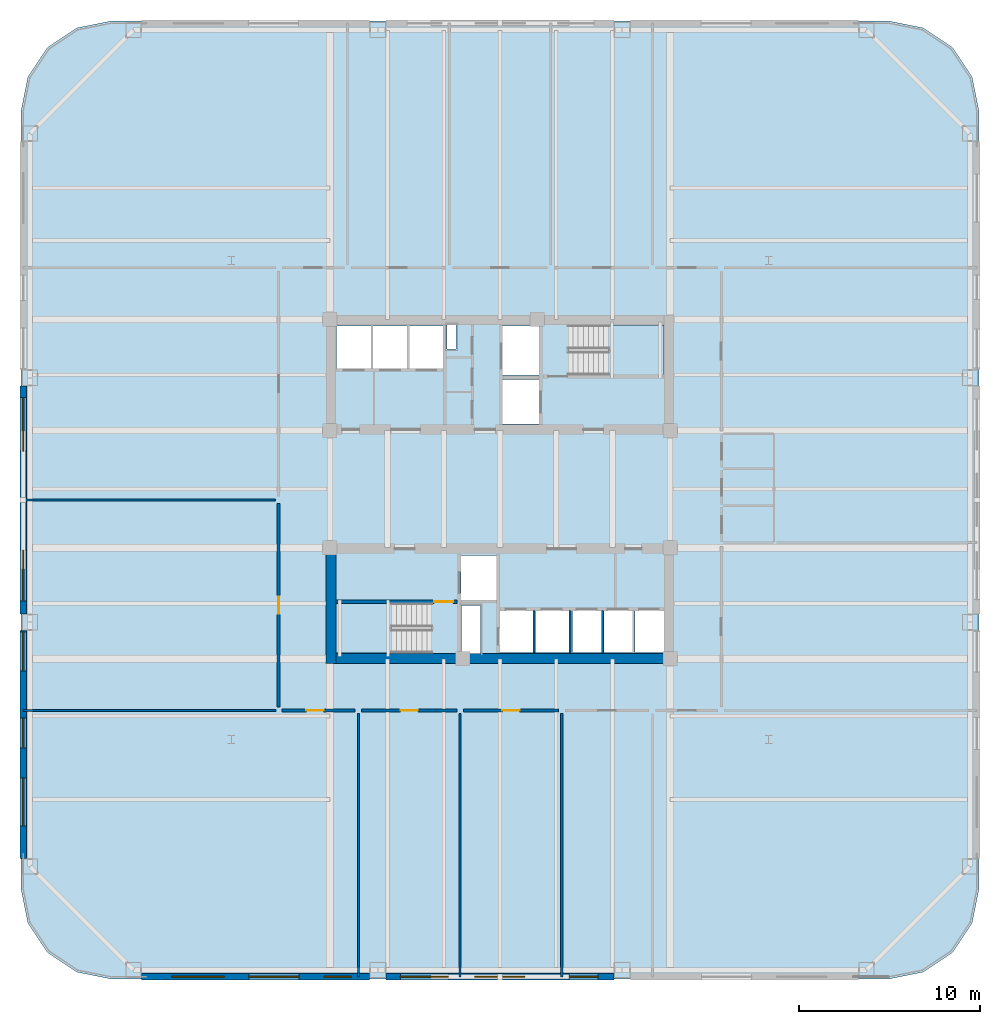
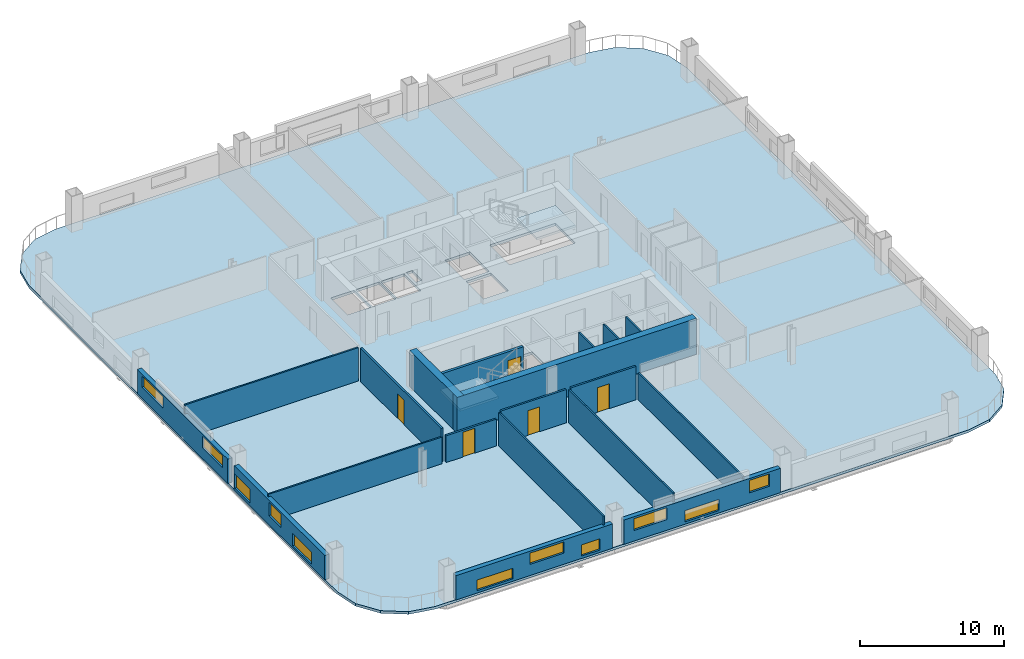
# One storey, part 2 of 12: 19 walls, 11 windows, 5 doors, 3 slabs, 16 openings, 2 elements without a shape of their own.
"""IFC4 building model written with IfcOpenShell, lengths in metres."""

from ifc_helpers import new_model, si_unit, direction, frame, frame_2d, origin, place, context, subcontext, project, spatial, polyline, rectangle, outline, extrude, material, layer, layer_set, type_object, element, fill, aggregate, save


model = new_model("IFC4")

# Units and contexts
model_context = context("Model", 3, precision=1e-05, world=origin(), true_north=direction((0.0, 1.0)))
body_context = subcontext(model_context, "Body", "Model", "MODEL_VIEW")
ifc_project = project(units=[si_unit("LENGTHUNIT", "METRE"), si_unit("AREAUNIT", "SQUARE_METRE"), si_unit("VOLUMEUNIT", "CUBIC_METRE"), si_unit("PLANEANGLEUNIT", "RADIAN"), si_unit("MASSUNIT", "GRAM", prefix="KILO")], contexts=[model_context])

# Site, building, storey
site_placement = place(None, origin())
site = spatial("IfcSite", under=ifc_project, at=site_placement, CompositionType="ELEMENT")
building_placement = place(site_placement, origin())
building = spatial("IfcBuilding", under=site, at=building_placement, Name="Qhalaya Broadcast Tower", CompositionType="ELEMENT")
storey_placement = place(building_placement, frame((0.0, 0.0, 35.25)))
storey = spatial("IfcBuildingStorey", under=building, at=storey_placement, Name="L09", CompositionType="ELEMENT", Elevation=35.25)

# Stair, slab
ifc_material_1 = material(Name="Concrete C40/50", Category="concrete")
stair_type = type_object("IfcStairType", Name="Protected Dogleg Core Stair 3150", PredefinedType="TWO_STRAIGHT_RUN_STAIR", material=ifc_material_1)
stair_1_placement = place(storey_placement, origin())
stair_1 = element("IfcStair", 1, at=stair_1_placement, inside=storey, type_object=stair_type, Name="L09 North Core Exit Stair ST-1", PredefinedType="TWO_STRAIGHT_RUN_STAIR")
ifc_layer_1 = layer(ifc_material_1, 0.199951171875, Name="Concrete C40/50")
ifc_layer_set_1 = layer_set([ifc_layer_1], Name="Concrete C40/50")
slab_type_1 = type_object("IfcSlabType", Name="Stair & Ramp Half-Landing Slab 200", PredefinedType="LANDING", material=ifc_layer_set_1)
slab_1_placement = place(storey_placement, frame((0.0, 0.0, 1.324951171875)))
slab_1 = element("IfcSlab", 2, at=slab_1_placement, type_object=slab_type_1, Name="ST-1 landing 1", PredefinedType="LANDING", context=body_context, shape_type="SweptSolid", body=[
    extrude(outline(polyline([(5.955078125, 6.8798828125), (9.050048828125, 6.8798828125), (9.050048828125, 9.639892578125), (5.955078125, 9.639892578125), (5.955078125, 6.8798828125)])), origin(), (0.0, 0.0, 1.0), 0.199951171875),
])
aggregate(stair_1, [slab_1])

stair_2_placement = place(storey_placement, origin())
stair_2 = element("IfcStair", 3, at=stair_2_placement, inside=storey, type_object=stair_type, Name="L09 South Core Exit Stair ST-2", PredefinedType="TWO_STRAIGHT_RUN_STAIR")
slab_2_placement = place(storey_placement, frame((0.0, 0.0, 1.324951171875)))
slab_2 = element("IfcSlab", 4, at=slab_2_placement, type_object=slab_type_1, Name="ST-2 landing 1", PredefinedType="LANDING", context=body_context, shape_type="SweptSolid", body=[
    extrude(outline(polyline([(-5.955078125, -5.679931640625), (-9.050048828125, -5.679931640625), (-9.050048828125, -8.43994140625), (-5.955078125, -8.43994140625), (-5.955078125, -5.679931640625)])), origin(), (0.0, 0.0, 1.0), 0.199951171875),
])
aggregate(stair_2, [slab_2])

# Slab
ifc_layer_2 = layer(ifc_material_1, 0.219970703125, Name="Concrete C40/50")
ifc_layer_set_2 = layer_set([ifc_layer_2], Name="Concrete C40/50")
slab_type_2 = type_object("IfcSlabType", Name="Tower Composite Floor Slab 220", PredefinedType="FLOOR", material=ifc_layer_set_2)
slab_3_placement = place(storey_placement, frame((0.0, 0.0, -0.219970703125)))
element("IfcSlab", 5, at=slab_3_placement, inside=storey, type_object=slab_type_2, Name="L09 Main Structural Floor Slab", PredefinedType="FLOOR", context=body_context, shape_type="SweptSolid", body=[
    extrude(outline(polyline([(21.39990234375, -26.39990234375), (23.3134765625, -26.019287109375), (24.935546875, -24.935546875), (26.019287109375, -23.3134765625), (26.39990234375, -21.39990234375), (26.39990234375, 21.39990234375), (26.019287109375, 23.3134765625), (24.935546875, 24.935546875), (23.3134765625, 26.019287109375), (21.39990234375, 26.39990234375), (-21.39990234375, 26.39990234375), (-23.3134765625, 26.019287109375), (-24.935546875, 24.935546875), (-26.019287109375, 23.3134765625), (-26.39990234375, 21.39990234375), (-26.39990234375, -21.39990234375), (-26.019287109375, -23.3134765625), (-24.935546875, -24.935546875), (-23.3134765625, -26.019287109375), (-21.39990234375, -26.39990234375), (21.39990234375, -26.39990234375)]), holes=[polyline([(3.784912109375, 9.639892578125), (9.050048828125, 9.639892578125), (9.050048828125, 6.8798828125), (3.784912109375, 6.8798828125), (3.784912109375, 9.639892578125)]), polyline([(-3.784912109375, -8.43994140625), (-9.050048828125, -8.43994140625), (-9.050048828125, -5.679931640625), (-3.784912109375, -5.679931640625), (-3.784912109375, -8.43994140625)]), polyline([(0.14990234375, 6.64990234375), (2.14990234375, 6.64990234375), (2.14990234375, 4.199951171875), (0.14990234375, 4.199951171875), (0.14990234375, 6.64990234375)]), polyline([(0.14990234375, 9.60009765625), (2.14990234375, 9.60009765625), (2.14990234375, 6.89990234375), (0.14990234375, 6.89990234375), (0.14990234375, 9.60009765625)]), polyline([(-2.14990234375, -3.050048828125), (-0.14990234375, -3.050048828125), (-0.14990234375, -5.5), (-2.14990234375, -5.5), (-2.14990234375, -3.050048828125)]), polyline([(-9.0, 9.60009765625), (-7.1201171875, 9.60009765625), (-7.1201171875, 7.25), (-9.0, 7.25), (-9.0, 9.60009765625)]), polyline([(-7.0, 9.60009765625), (-5.1201171875, 9.60009765625), (-5.1201171875, 7.25), (-7.0, 7.25), (-7.0, 9.60009765625)]), polyline([(-5.0, 9.60009765625), (-3.1201171875, 9.60009765625), (-3.1201171875, 7.25), (-5.0, 7.25), (-5.0, 9.60009765625)]), polyline([(-0.050048828125, -6.10009765625), (1.830078125, -6.10009765625), (1.830078125, -8.39990234375), (-0.050048828125, -8.39990234375), (-0.050048828125, -6.10009765625)]), polyline([(1.949951171875, -6.10009765625), (3.830078125, -6.10009765625), (3.830078125, -8.39990234375), (1.949951171875, -8.39990234375), (1.949951171875, -6.10009765625)]), polyline([(4.0, -6.10009765625), (5.60009765625, -6.10009765625), (5.60009765625, -8.39990234375), (4.0, -8.39990234375), (4.0, -6.10009765625)]), polyline([(5.719970703125, -6.10009765625), (7.320068359375, -6.10009765625), (7.320068359375, -8.39990234375), (5.719970703125, -8.39990234375), (5.719970703125, -6.10009765625)]), polyline([(7.43994140625, -6.10009765625), (9.0400390625, -6.10009765625), (9.0400390625, -8.39990234375), (7.43994140625, -8.39990234375), (7.43994140625, -6.10009765625)]), polyline([(-2.919921875, 9.659912109375), (-2.419921875, 9.659912109375), (-2.419921875, 8.320068359375), (-2.919921875, 8.320068359375), (-2.919921875, 9.659912109375)]), polyline([(-2.1201171875, -5.820068359375), (-1.080078125, -5.820068359375), (-1.080078125, -8.4599609375), (-2.1201171875, -8.4599609375), (-2.1201171875, -5.820068359375)])]), origin(), (0.0, 0.0, 1.0), 0.219970703125),
])

# Wall, opening, door
ifc_material_2 = material(Name="Gypsum Acoustic Partition")
ifc_layer_3 = layer(ifc_material_2, 0.14990234375, Name="Gypsum Acoustic Partition")
ifc_layer_set_3 = layer_set([ifc_layer_3], Name="Gypsum Acoustic Partition")
wall_type_1 = type_object("IfcWallType", Name="Corridor & Tenancy Acoustic Partition 150", PredefinedType="PARTITIONING", material=ifc_layer_set_3)
wall_1_placement = place(storey_placement, frame((-12.02001953125, -11.60009765625, 0.0), z_axis=(0.0, 0.0, 1.0), x_axis=(1.0, 0.0, 0.0)))
wall_1 = element("IfcWall", 6, at=wall_1_placement, inside=storey, type_object=wall_type_1, Name="L09 Partition Wall W-COR-06", PredefinedType="PARTITIONING", context=body_context, shape_type="SweptSolid", body=[
    extrude(rectangle(XDim=4.0400390625, YDim=0.14990234375, at=frame_2d((2.02001953125, 0.0))), origin(), (0.0, 0.0, 1.0), 2.27392578125),
])
opening_1_placement = place(wall_1_placement, frame((1.344970703125, 0.0, 0.0)))
opening_1 = element("IfcOpeningElement", 7, at=opening_1_placement, cuts=wall_1, Name="Opening D10", PredefinedType="OPENING", context=body_context, shape_type="SweptSolid", body=[
    extrude(rectangle(XDim=0.949951171875, YDim=2.10009765625, at=frame_2d((0.47509765625, 1.050048828125))), frame((0.0, 0.0869140625, 0.0), z_axis=(0.0, -1.0, 0.0), x_axis=(1.0, 0.0, 0.0)), (0.0, 0.0, 1.0), 0.173828125),
])
ifc_material_3 = material(Name="Timber Veneer Acoustic Door", Category="wood")
door_type_1 = type_object("IfcDoorType", Name="Cellular Office & Edit Booth Door D10", OperationType="NOTDEFINED", PredefinedType="DOOR", material=ifc_material_3)
door_1_placement = place(opening_1_placement, origin())
door_1 = element("IfcDoor", 8, at=door_1_placement, inside=storey, type_object=door_type_1, Name="L09 Door D-RM06", OperationType="SINGLE_SWING_RIGHT", OverallHeight=2.10009765625, OverallWidth=0.949951171875, PredefinedType="DOOR", context=body_context, shape_type="SweptSolid", body=[
    extrude(rectangle(XDim=0.949951171875, YDim=2.10009765625, at=frame_2d((0.47509765625, 1.050048828125))), frame((0.0, 0.02490234375, 0.0), z_axis=(0.0, -1.0, 0.0), x_axis=(1.0, 0.0, 0.0)), (0.0, 0.0, 1.0), 0.050048828125),
])
fill(opening_1, door_1)

wall_2_placement = place(storey_placement, frame((-7.6201171875, -11.60009765625, 0.0), z_axis=(0.0, 0.0, 1.0), x_axis=(1.0, 0.0, 0.0)))
wall_2 = element("IfcWall", 9, at=wall_2_placement, inside=storey, type_object=wall_type_1, Name="L09 Partition Wall W-COR-07", PredefinedType="PARTITIONING", context=body_context, shape_type="SweptSolid", body=[
    extrude(rectangle(XDim=5.240234375, YDim=0.14990234375, at=frame_2d((2.6201171875, 0.0))), origin(), (0.0, 0.0, 1.0), 2.830078125),
])
opening_2_placement = place(wall_2_placement, frame((2.14501953125, 0.0, 0.0)))
opening_2 = element("IfcOpeningElement", 10, at=opening_2_placement, cuts=wall_2, Name="Opening D10", PredefinedType="OPENING", context=body_context, shape_type="SweptSolid", body=[
    extrude(rectangle(XDim=0.949951171875, YDim=2.10009765625, at=frame_2d((0.47509765625, 1.050048828125))), frame((0.0, 0.0869140625, 0.0), z_axis=(0.0, -1.0, 0.0), x_axis=(1.0, 0.0, 0.0)), (0.0, 0.0, 1.0), 0.173828125),
])
door_2_placement = place(opening_2_placement, origin())
door_2 = element("IfcDoor", 11, at=door_2_placement, inside=storey, type_object=door_type_1, Name="L09 Door D-RM07", OperationType="SINGLE_SWING_LEFT", OverallHeight=2.10009765625, OverallWidth=0.949951171875, PredefinedType="DOOR", context=body_context, shape_type="SweptSolid", body=[
    extrude(rectangle(XDim=0.949951171875, YDim=2.10009765625, at=frame_2d((0.47509765625, 1.050048828125))), frame((0.0, 0.02490234375, 0.0), z_axis=(0.0, -1.0, 0.0), x_axis=(1.0, 0.0, 0.0)), (0.0, 0.0, 1.0), 0.050048828125),
])
fill(opening_2, door_2)

wall_3_placement = place(storey_placement, frame((-2.02001953125, -11.60009765625, 0.0), z_axis=(0.0, 0.0, 1.0), x_axis=(1.0, 0.0, 0.0)))
wall_3 = element("IfcWall", 12, at=wall_3_placement, inside=storey, type_object=wall_type_1, Name="L09 Partition Wall W-COR-08", PredefinedType="PARTITIONING", context=body_context, shape_type="SweptSolid", body=[
    extrude(rectangle(XDim=5.239990234375, YDim=0.14990234375, at=frame_2d((2.6201171875, 0.0))), origin(), (0.0, 0.0, 1.0), 2.830078125),
])
opening_3_placement = place(wall_3_placement, frame((2.14501953125, 0.0, 0.0)))
opening_3 = element("IfcOpeningElement", 13, at=opening_3_placement, cuts=wall_3, Name="Opening D10", PredefinedType="OPENING", context=body_context, shape_type="SweptSolid", body=[
    extrude(rectangle(XDim=0.949951171875, YDim=2.10009765625, at=frame_2d((0.47509765625, 1.050048828125))), frame((0.0, 0.0869140625, 0.0), z_axis=(0.0, -1.0, 0.0), x_axis=(1.0, 0.0, 0.0)), (0.0, 0.0, 1.0), 0.173828125),
])
door_3_placement = place(opening_3_placement, origin())
door_3 = element("IfcDoor", 14, at=door_3_placement, inside=storey, type_object=door_type_1, Name="L09 Door D-RM08", OperationType="SINGLE_SWING_RIGHT", OverallHeight=2.10009765625, OverallWidth=0.949951171875, PredefinedType="DOOR", context=body_context, shape_type="SweptSolid", body=[
    extrude(rectangle(XDim=0.949951171875, YDim=2.10009765625, at=frame_2d((0.47509765625, 1.050048828125))), frame((0.0, 0.02490234375, 0.0), z_axis=(0.0, -1.0, 0.0), x_axis=(1.0, 0.0, 0.0)), (0.0, 0.0, 1.0), 0.050048828125),
])
fill(opening_3, door_3)

wall_4_placement = place(storey_placement, frame((-12.199951171875, -11.419921875, 0.0), z_axis=(0.0, 0.0, 1.0), x_axis=(0.0, 1.0, 0.0)))
wall_4 = element("IfcWall", 15, at=wall_4_placement, inside=storey, type_object=wall_type_1, Name="L09 Partition Wall W-COR-11", PredefinedType="PARTITIONING", context=body_context, shape_type="SweptSolid", body=[
    extrude(rectangle(XDim=11.239990234375, YDim=0.14990234375, at=frame_2d((5.6201171875, 0.0))), origin(), (0.0, 0.0, 1.0), 2.830078125),
])
opening_4_placement = place(wall_4_placement, frame((5.14501953125, 0.0, 0.0)))
opening_4 = element("IfcOpeningElement", 16, at=opening_4_placement, cuts=wall_4, Name="Opening D10", PredefinedType="OPENING", context=body_context, shape_type="SweptSolid", body=[
    extrude(rectangle(XDim=0.949951171875, YDim=2.10009765625, at=frame_2d((0.47509765625, 1.050048828125))), frame((0.0, 0.0869140625, 0.0), z_axis=(0.0, -1.0, 0.0), x_axis=(1.0, 0.0, 0.0)), (0.0, 0.0, 1.0), 0.173828125),
])
door_4_placement = place(opening_4_placement, origin())
door_4 = element("IfcDoor", 17, at=door_4_placement, inside=storey, type_object=door_type_1, Name="L09 Door D-RM11", OperationType="SINGLE_SWING_LEFT", OverallHeight=2.10009765625, OverallWidth=0.949951171875, PredefinedType="DOOR", context=body_context, shape_type="SweptSolid", body=[
    extrude(rectangle(XDim=0.949951171875, YDim=2.10009765625, at=frame_2d((0.47509765625, 1.050048828125))), frame((0.0, 0.02490234375, 0.0), z_axis=(0.0, -1.0, 0.0), x_axis=(1.0, 0.0, 0.0)), (0.0, 0.0, 1.0), 0.050048828125),
])
fill(opening_4, door_4)

# Wall, openings, windows
ifc_material_4 = material(Name="Precast Concrete C40/50", Category="concrete")
ifc_layer_4 = layer(ifc_material_4, 0.360107421875, Name="Precast Concrete C40/50")
ifc_layer_set_4 = layer_set([ifc_layer_4], Name="Precast Concrete C40/50")
wall_type_2 = type_object("IfcWallType", Name="Insulated Precast Terracotta Exterior Wall 360", PredefinedType="SOLIDWALL", material=ifc_layer_set_4)
wall_5_placement = place(storey_placement, frame((6.283203125, -26.260009765625, 0.0), z_axis=(0.0, 0.0, 1.0), x_axis=(-1.0, 0.0, 0.0)))
wall_5 = element("IfcWall", 18, at=wall_5_placement, inside=storey, type_object=wall_type_2, Name="L09 Exoskeleton Diagrid Infill Wall S2", PredefinedType="SOLIDWALL", context=body_context, shape_type="SweptSolid", body=[
    extrude(rectangle(XDim=12.56640625, YDim=0.360107421875, at=frame_2d((6.283203125, 0.0))), origin(), (0.0, 0.0, 1.0), 2.06689453125),
])
opening_5_placement = place(wall_5_placement, frame((0.87109375, 0.0, 0.85009765625)))
opening_5 = element("IfcOpeningElement", 19, at=opening_5_placement, cuts=wall_5, Name="Opening W11", PredefinedType="OPENING", context=body_context, shape_type="SweptSolid", body=[
    extrude(rectangle(XDim=1.60009765625, YDim=1.050048828125, at=frame_2d((0.800048828125, 0.52490234375))), frame((0.0, 0.192138671875, 0.0), z_axis=(0.0, -1.0, 0.0), x_axis=(1.0, 0.0, 0.0)), (0.0, 0.0, 1.0), 0.384033203125),
])
opening_6_placement = place(wall_5_placement, frame((4.9208984375, 0.0, 0.199951171875)))
opening_6 = element("IfcOpeningElement", 20, at=opening_6_placement, cuts=wall_5, Name="Opening W11", PredefinedType="OPENING", context=body_context, shape_type="SweptSolid", body=[
    extrude(rectangle(XDim=2.75, YDim=0.949951171875, at=frame_2d((1.375, 0.47509765625))), frame((0.0, 0.192138671875, 0.0), z_axis=(0.0, -1.0, 0.0), x_axis=(1.0, 0.0, 0.0)), (0.0, 0.0, 1.0), 0.384033203125),
])
opening_7_placement = place(wall_5_placement, frame((9.12109375, 0.0, 0.89990234375)))
opening_7 = element("IfcOpeningElement", 21, at=opening_7_placement, cuts=wall_5, Name="Opening W11", PredefinedType="OPENING", context=body_context, shape_type="SweptSolid", body=[
    extrude(rectangle(XDim=2.64990234375, YDim=1.0, at=frame_2d((1.324951171875, 0.5))), frame((0.0, 0.192138671875, 0.0), z_axis=(0.0, -1.0, 0.0), x_axis=(1.0, 0.0, 0.0)), (0.0, 0.0, 1.0), 0.384033203125),
])
ifc_material_5 = material(Name="Solar-Control Low-E Triple Glazing", Category="glass")
window_type = type_object("IfcWindowType", Name="Odd-Block Diagrid Infill Window W11", PartitioningType="SINGLE_PANEL", PredefinedType="WINDOW", material=ifc_material_5)
window_1_placement = place(opening_5_placement, origin())
window_1 = element("IfcWindow", 22, at=window_1_placement, inside=storey, type_object=window_type, Name="L09 Diagrid Infill Window W11-S3", OverallHeight=1.050048828125, OverallWidth=1.60009765625, PartitioningType="SINGLE_PANEL", PredefinedType="WINDOW", context=body_context, shape_type="SweptSolid", body=[
    extrude(rectangle(XDim=1.60009765625, YDim=1.050048828125, at=frame_2d((0.800048828125, 0.52490234375))), frame((0.0, 0.030029296875, 0.0), z_axis=(0.0, -1.0, 0.0), x_axis=(1.0, 0.0, 0.0)), (0.0, 0.0, 1.0), 0.06005859375),
])
fill(opening_5, window_1)
window_2_placement = place(opening_6_placement, origin())
window_2 = element("IfcWindow", 23, at=window_2_placement, inside=storey, type_object=window_type, Name="L09 Diagrid Infill Window W11-S4", OverallHeight=0.949951171875, OverallWidth=2.75, PartitioningType="SINGLE_PANEL", PredefinedType="WINDOW", context=body_context, shape_type="SweptSolid", body=[
    extrude(rectangle(XDim=2.75, YDim=0.949951171875, at=frame_2d((1.375, 0.47509765625))), frame((0.0, 0.030029296875, 0.0), z_axis=(0.0, -1.0, 0.0), x_axis=(1.0, 0.0, 0.0)), (0.0, 0.0, 1.0), 0.06005859375),
])
fill(opening_6, window_2)
window_3_placement = place(opening_7_placement, origin())
window_3 = element("IfcWindow", 24, at=window_3_placement, inside=storey, type_object=window_type, Name="L09 Diagrid Infill Window W11-S5", OverallHeight=1.0, OverallWidth=2.64990234375, PartitioningType="SINGLE_PANEL", PredefinedType="WINDOW", context=body_context, shape_type="SweptSolid", body=[
    extrude(rectangle(XDim=2.64990234375, YDim=1.0, at=frame_2d((1.324951171875, 0.5))), frame((0.0, 0.030029296875, 0.0), z_axis=(0.0, -1.0, 0.0), x_axis=(1.0, 0.0, 0.0)), (0.0, 0.0, 1.0), 0.06005859375),
])
fill(opening_7, window_3)

wall_6_placement = place(storey_placement, frame((-7.183349609375, -26.260009765625, 0.0), z_axis=(0.0, 0.0, 1.0), x_axis=(-1.0, 0.0, 0.0)))
wall_6 = element("IfcWall", 25, at=wall_6_placement, inside=storey, type_object=wall_type_2, Name="L09 Exoskeleton Diagrid Infill Wall S3", PredefinedType="SOLIDWALL", context=body_context, shape_type="SweptSolid", body=[
    extrude(rectangle(XDim=12.57861328125, YDim=0.360107421875, at=frame_2d((6.289306640625, 0.0))), origin(), (0.0, 0.0, 1.0), 2.06689453125),
])
opening_8_placement = place(wall_6_placement, frame((1.0048828125, 0.0, 0.199951171875)))
opening_8 = element("IfcOpeningElement", 26, at=opening_8_placement, cuts=wall_6, Name="Opening W11", PredefinedType="OPENING", context=body_context, shape_type="SweptSolid", body=[
    extrude(rectangle(XDim=1.5, YDim=0.949951171875, at=frame_2d((0.75, 0.47509765625))), frame((0.0, 0.192138671875, 0.0), z_axis=(0.0, -1.0, 0.0), x_axis=(1.0, 0.0, 0.0)), (0.0, 0.0, 1.0), 0.384033203125),
])
opening_9_placement = place(wall_6_placement, frame((3.905029296875, 0.0, 0.949951171875)))
opening_9 = element("IfcOpeningElement", 27, at=opening_9_placement, cuts=wall_6, Name="Opening W11", PredefinedType="OPENING", context=body_context, shape_type="SweptSolid", body=[
    extrude(rectangle(XDim=2.75, YDim=0.949951171875, at=frame_2d((1.375, 0.47509765625))), frame((0.0, 0.192138671875, 0.0), z_axis=(0.0, -1.0, 0.0), x_axis=(1.0, 0.0, 0.0)), (0.0, 0.0, 1.0), 0.384033203125),
])
opening_10_placement = place(wall_6_placement, frame((8.0048828125, 0.0, 0.199951171875)))
opening_10 = element("IfcOpeningElement", 28, at=opening_10_placement, cuts=wall_6, Name="Opening W11", PredefinedType="OPENING", context=body_context, shape_type="SweptSolid", body=[
    extrude(rectangle(XDim=2.89990234375, YDim=0.89990234375, at=frame_2d((1.449951171875, 0.449951171875))), frame((0.0, 0.192138671875, 0.0), z_axis=(0.0, -1.0, 0.0), x_axis=(1.0, 0.0, 0.0)), (0.0, 0.0, 1.0), 0.384033203125),
])
window_4_placement = place(opening_8_placement, origin())
window_4 = element("IfcWindow", 29, at=window_4_placement, inside=storey, type_object=window_type, Name="L09 Diagrid Infill Window W11-S6", OverallHeight=0.949951171875, OverallWidth=1.5, PartitioningType="SINGLE_PANEL", PredefinedType="WINDOW", context=body_context, shape_type="SweptSolid", body=[
    extrude(rectangle(XDim=1.5, YDim=0.949951171875, at=frame_2d((0.75, 0.47509765625))), frame((0.0, 0.030029296875, 0.0), z_axis=(0.0, -1.0, 0.0), x_axis=(1.0, 0.0, 0.0)), (0.0, 0.0, 1.0), 0.06005859375),
])
fill(opening_8, window_4)
window_5_placement = place(opening_9_placement, origin())
window_5 = element("IfcWindow", 30, at=window_5_placement, inside=storey, type_object=window_type, Name="L09 Diagrid Infill Window W11-S7", OverallHeight=0.949951171875, OverallWidth=2.75, PartitioningType="SINGLE_PANEL", PredefinedType="WINDOW", context=body_context, shape_type="SweptSolid", body=[
    extrude(rectangle(XDim=2.75, YDim=0.949951171875, at=frame_2d((1.375, 0.47509765625))), frame((0.0, 0.030029296875, 0.0), z_axis=(0.0, -1.0, 0.0), x_axis=(1.0, 0.0, 0.0)), (0.0, 0.0, 1.0), 0.06005859375),
])
fill(opening_9, window_5)
window_6_placement = place(opening_10_placement, origin())
window_6 = element("IfcWindow", 31, at=window_6_placement, inside=storey, type_object=window_type, Name="L09 Diagrid Infill Window W11-S8", OverallHeight=0.89990234375, OverallWidth=2.89990234375, PartitioningType="SINGLE_PANEL", PredefinedType="WINDOW", context=body_context, shape_type="SweptSolid", body=[
    extrude(rectangle(XDim=2.89990234375, YDim=0.89990234375, at=frame_2d((1.449951171875, 0.449951171875))), frame((0.0, 0.030029296875, 0.0), z_axis=(0.0, -1.0, 0.0), x_axis=(1.0, 0.0, 0.0)), (0.0, 0.0, 1.0), 0.06005859375),
])
fill(opening_10, window_6)

wall_7_placement = place(storey_placement, frame((-26.260009765625, -19.761962890625, 0.0), z_axis=(0.0, 0.0, 1.0), x_axis=(0.0, 1.0, 0.0)))
wall_7 = element("IfcWall", 32, at=wall_7_placement, inside=storey, type_object=wall_type_2, Name="L09 Exoskeleton Diagrid Infill Wall W1", PredefinedType="SOLIDWALL", context=body_context, shape_type="SweptSolid", body=[
    extrude(rectangle(XDim=12.57861328125, YDim=0.360107421875, at=frame_2d((6.289306640625, 0.0))), origin(), (0.0, 0.0, 1.0), 2.06689453125),
])
opening_11_placement = place(wall_7_placement, frame((1.800048828125, 0.0, 0.199951171875)))
opening_11 = element("IfcOpeningElement", 33, at=opening_11_placement, cuts=wall_7, Name="Opening W11", PredefinedType="OPENING", context=body_context, shape_type="SweptSolid", body=[
    extrude(rectangle(XDim=2.64990234375, YDim=1.050048828125, at=frame_2d((1.324951171875, 0.52490234375))), frame((0.0, 0.192138671875, 0.0), z_axis=(0.0, -1.0, 0.0), x_axis=(1.0, 0.0, 0.0)), (0.0, 0.0, 1.0), 0.384033203125),
])
opening_12_placement = place(wall_7_placement, frame((6.10009765625, 0.0, 0.75)))
opening_12 = element("IfcOpeningElement", 34, at=opening_12_placement, cuts=wall_7, Name="Opening W11", PredefinedType="OPENING", context=body_context, shape_type="SweptSolid", body=[
    extrude(rectangle(XDim=1.64990234375, YDim=1.14990234375, at=frame_2d((0.824951171875, 0.574951171875))), frame((0.0, 0.192138671875, 0.0), z_axis=(0.0, -1.0, 0.0), x_axis=(1.0, 0.0, 0.0)), (0.0, 0.0, 1.0), 0.384033203125),
])
opening_13_placement = place(wall_7_placement, frame((10.35009765625, 0.0, 0.199951171875)))
opening_13 = element("IfcOpeningElement", 35, at=opening_13_placement, cuts=wall_7, Name="Opening W11", PredefinedType="OPENING", context=body_context, shape_type="SweptSolid", body=[
    extrude(rectangle(XDim=2.14990234375, YDim=1.199951171875, at=frame_2d((1.074951171875, 0.60009765625))), frame((0.0, 0.192138671875, 0.0), z_axis=(0.0, -1.0, 0.0), x_axis=(1.0, 0.0, 0.0)), (0.0, 0.0, 1.0), 0.384033203125),
])
window_7_placement = place(opening_11_placement, origin())
window_7 = element("IfcWindow", 36, at=window_7_placement, inside=storey, type_object=window_type, Name="L09 Diagrid Infill Window W11-W1", OverallHeight=1.050048828125, OverallWidth=2.64990234375, PartitioningType="SINGLE_PANEL", PredefinedType="WINDOW", context=body_context, shape_type="SweptSolid", body=[
    extrude(rectangle(XDim=2.64990234375, YDim=1.050048828125, at=frame_2d((1.324951171875, 0.52490234375))), frame((0.0, 0.030029296875, 0.0), z_axis=(0.0, -1.0, 0.0), x_axis=(1.0, 0.0, 0.0)), (0.0, 0.0, 1.0), 0.06005859375),
])
fill(opening_11, window_7)
window_8_placement = place(opening_12_placement, origin())
window_8 = element("IfcWindow", 37, at=window_8_placement, inside=storey, type_object=window_type, Name="L09 Diagrid Infill Window W11-W2", OverallHeight=1.14990234375, OverallWidth=1.64990234375, PartitioningType="SINGLE_PANEL", PredefinedType="WINDOW", context=body_context, shape_type="SweptSolid", body=[
    extrude(rectangle(XDim=1.64990234375, YDim=1.14990234375, at=frame_2d((0.824951171875, 0.574951171875))), frame((0.0, 0.030029296875, 0.0), z_axis=(0.0, -1.0, 0.0), x_axis=(1.0, 0.0, 0.0)), (0.0, 0.0, 1.0), 0.06005859375),
])
fill(opening_12, window_8)
window_9_placement = place(opening_13_placement, origin())
window_9 = element("IfcWindow", 38, at=window_9_placement, inside=storey, type_object=window_type, Name="L09 Diagrid Infill Window W11-W3", OverallHeight=1.199951171875, OverallWidth=2.14990234375, PartitioningType="SINGLE_PANEL", PredefinedType="WINDOW", context=body_context, shape_type="SweptSolid", body=[
    extrude(rectangle(XDim=2.14990234375, YDim=1.199951171875, at=frame_2d((1.074951171875, 0.60009765625))), frame((0.0, 0.030029296875, 0.0), z_axis=(0.0, -1.0, 0.0), x_axis=(1.0, 0.0, 0.0)), (0.0, 0.0, 1.0), 0.06005859375),
])
fill(opening_13, window_9)

wall_8_placement = place(storey_placement, frame((-26.260009765625, -6.283203125, 0.0), z_axis=(0.0, 0.0, 1.0), x_axis=(0.0, 1.0, 0.0)))
wall_8 = element("IfcWall", 39, at=wall_8_placement, inside=storey, type_object=wall_type_2, Name="L09 Exoskeleton Diagrid Infill Wall W2", PredefinedType="SOLIDWALL", context=body_context, shape_type="SweptSolid", body=[
    extrude(rectangle(XDim=12.56640625, YDim=0.360107421875, at=frame_2d((6.283203125, 0.0))), origin(), (0.0, 0.0, 1.0), 2.06689453125),
])
opening_14_placement = place(wall_8_placement, frame((0.720947265625, 0.0, 0.89990234375)))
opening_14 = element("IfcOpeningElement", 40, at=opening_14_placement, cuts=wall_8, Name="Opening W11", PredefinedType="OPENING", context=body_context, shape_type="SweptSolid", body=[
    extrude(rectangle(XDim=2.800048828125, YDim=1.0, at=frame_2d((1.39990234375, 0.5))), frame((0.0, 0.192138671875, 0.0), z_axis=(0.0, -1.0, 0.0), x_axis=(1.0, 0.0, 0.0)), (0.0, 0.0, 1.0), 0.384033203125),
])
opening_15_placement = place(wall_8_placement, frame((8.970947265625, 0.0, 0.949951171875)))
opening_15 = element("IfcOpeningElement", 41, at=opening_15_placement, cuts=wall_8, Name="Opening W11", PredefinedType="OPENING", context=body_context, shape_type="SweptSolid", body=[
    extrude(rectangle(XDim=2.949951171875, YDim=0.949951171875, at=frame_2d((1.47509765625, 0.47509765625))), frame((0.0, 0.192138671875, 0.0), z_axis=(0.0, -1.0, 0.0), x_axis=(1.0, 0.0, 0.0)), (0.0, 0.0, 1.0), 0.384033203125),
])
window_10_placement = place(opening_14_placement, origin())
window_10 = element("IfcWindow", 42, at=window_10_placement, inside=storey, type_object=window_type, Name="L09 Diagrid Infill Window W11-W4", OverallHeight=1.0, OverallWidth=2.800048828125, PartitioningType="SINGLE_PANEL", PredefinedType="WINDOW", context=body_context, shape_type="SweptSolid", body=[
    extrude(rectangle(XDim=2.800048828125, YDim=1.0, at=frame_2d((1.39990234375, 0.5))), frame((0.0, 0.030029296875, 0.0), z_axis=(0.0, -1.0, 0.0), x_axis=(1.0, 0.0, 0.0)), (0.0, 0.0, 1.0), 0.06005859375),
])
fill(opening_14, window_10)
window_11_placement = place(opening_15_placement, origin())
window_11 = element("IfcWindow", 43, at=window_11_placement, inside=storey, type_object=window_type, Name="L09 Diagrid Infill Window W11-W5", OverallHeight=0.949951171875, OverallWidth=2.949951171875, PartitioningType="SINGLE_PANEL", PredefinedType="WINDOW", context=body_context, shape_type="SweptSolid", body=[
    extrude(rectangle(XDim=2.949951171875, YDim=0.949951171875, at=frame_2d((1.47509765625, 0.47509765625))), frame((0.0, 0.030029296875, 0.0), z_axis=(0.0, -1.0, 0.0), x_axis=(1.0, 0.0, 0.0)), (0.0, 0.0, 1.0), 0.06005859375),
])
fill(opening_15, window_11)

# Wall, opening, door
ifc_material_6 = material(Name="Concrete C50/60", Category="concrete")
ifc_layer_5 = layer(ifc_material_6, 0.199951171875, Name="Concrete C50/60")
ifc_layer_set_5 = layer_set([ifc_layer_5], Name="Concrete C50/60")
wall_type_3 = type_object("IfcWallType", Name="Load-Bearing Stair Shaft Wall 200", PredefinedType="SHEAR", material=ifc_layer_set_5)
wall_9_placement = place(storey_placement, frame((-9.030029296875, -5.60498046875, 0.0), z_axis=(0.0, 0.0, 1.0), x_axis=(1.0, 0.0, 0.0)))
wall_9 = element("IfcWall", 44, at=wall_9_placement, inside=storey, type_object=wall_type_3, Name="L09 Stair Core Shear Wall SCW-ST2", PredefinedType="SHEAR", context=body_context, shape_type="SweptSolid", body=[
    extrude(rectangle(XDim=6.669921875, YDim=0.199951171875, at=frame_2d((3.3349609375, 0.0))), origin(), (0.0, 0.0, 1.0), 2.830078125),
])
opening_16_placement = place(wall_9_placement, frame((5.39990234375, 0.0, 0.0)))
opening_16 = element("IfcOpeningElement", 45, at=opening_16_placement, cuts=wall_9, Name="Opening D03", PredefinedType="OPENING", context=body_context, shape_type="SweptSolid", body=[
    extrude(rectangle(XDim=1.050048828125, YDim=2.080078125, at=frame_2d((0.52490234375, 1.0400390625))), frame((0.0, 0.112060546875, 0.0), z_axis=(0.0, -1.0, 0.0), x_axis=(1.0, 0.0, 0.0)), (0.0, 0.0, 1.0), 0.223876953125),
])
ifc_material_7 = material(Name="Fire-Rated Steel Door", Category="steel")
door_type_2 = type_object("IfcDoorType", Name="Core Stair Protected Fire Door D03", OperationType="NOTDEFINED", PredefinedType="DOOR", material=ifc_material_7)
door_5_placement = place(opening_16_placement, origin())
door_5 = element("IfcDoor", 46, at=door_5_placement, inside=storey, type_object=door_type_2, Name="L09 Door D-SST2", OperationType="SINGLE_SWING_RIGHT", OverallHeight=2.080078125, OverallWidth=1.050048828125, PredefinedType="DOOR", context=body_context, shape_type="SweptSolid", body=[
    extrude(rectangle(XDim=1.050048828125, YDim=2.080078125, at=frame_2d((0.52490234375, 1.0400390625))), frame((0.0, 0.02490234375, 0.0), z_axis=(0.0, -1.0, 0.0), x_axis=(1.0, 0.0, 0.0)), (0.0, 0.0, 1.0), 0.050048828125),
])
fill(opening_16, door_5)

# Walls
ifc_material_8 = material(Name="Concrete C60/75", Category="concrete")
ifc_layer_6 = layer(ifc_material_8, 0.550048828125, Name="Concrete C60/75")
ifc_layer_set_6 = layer_set([ifc_layer_6], Name="Concrete C60/75")
wall_type_4 = type_object("IfcWallType", Name="Lower Split-Core Shear Wall 550", PredefinedType="SHEAR", material=ifc_layer_set_6)
wall_10_placement = place(storey_placement, frame((-9.60009765625, -8.72509765625, 0.0), z_axis=(0.0, 0.0, 1.0), x_axis=(1.0, 0.0, 0.0)))
element("IfcWall", 47, at=wall_10_placement, inside=storey, type_object=wall_type_4, Name="L09 Split-Core Shear Wall CW-SS", PredefinedType="SHEAR", context=body_context, shape_type="SweptSolid", body=[
    extrude(rectangle(XDim=19.2001953125, YDim=0.550048828125, at=frame_2d((9.60009765625, 0.0))), origin(), (0.0, 0.0, 1.0), 3.050048828125),
])
wall_11_placement = place(storey_placement, frame((-9.324951171875, -9.0, 0.0), z_axis=(0.0, 0.0, 1.0), x_axis=(0.0, 1.0, 0.0)))
element("IfcWall", 48, at=wall_11_placement, inside=storey, type_object=wall_type_4, Name="L09 Split-Core Shear Wall CW-SW", PredefinedType="SHEAR", context=body_context, shape_type="SweptSolid", body=[
    extrude(rectangle(XDim=6.60009765625, YDim=0.550048828125, at=frame_2d((3.300048828125, 0.0))), origin(), (0.0, 0.0, 1.0), 3.050048828125),
])
ifc_layer_7 = layer(ifc_material_2, 0.1201171875, Name="Gypsum Acoustic Partition")
ifc_layer_set_7 = layer_set([ifc_layer_7], Name="Gypsum Acoustic Partition")
wall_type_5 = type_object("IfcWallType", Name="Office, Booth & Sanitary Partition 120", PredefinedType="PARTITIONING", material=ifc_layer_set_7)
for number, where, z_axis, x_axis, name in (
    (49, (1.8798828125, -8.429931640625, 0.0), (0.0, 0.0, 1.0), (0.0, 1.0, 0.0), "L09 Partition Wall SCW-MD4"),
    (50, (3.85009765625, -8.429931640625, 0.0), (0.0, 0.0, 1.0), (0.0, 1.0, 0.0), "L09 Partition Wall SCW-MD5"),
    (51, (5.639892578125, -8.429931640625, 0.0), (0.0, 0.0, 1.0), (0.0, 1.0, 0.0), "L09 Partition Wall SCW-HD6"),
):
    element("IfcWall", number, at=place(storey_placement, frame(where, z_axis=z_axis, x_axis=x_axis)), inside=storey, type_object=wall_type_5, Name=name, PredefinedType="PARTITIONING", context=body_context, shape_type="SweptSolid", body=[
        extrude(rectangle(XDim=2.329833984375, YDim=0.1201171875, at=frame_2d((1.1650390625, 0.0))), origin(), (0.0, 0.0, 1.0), 2.830078125),
    ])
wall_12_placement = place(storey_placement, frame((-26.280029296875, -11.60009765625, 0.0), z_axis=(0.0, 0.0, 1.0), x_axis=(1.0, 0.0, 0.0)))
element("IfcWall", 52, at=wall_12_placement, inside=storey, type_object=wall_type_5, Name="L09 Partition Wall W-BNDW2", PredefinedType="PARTITIONING", context=body_context, shape_type="SweptSolid", body=[
    extrude(rectangle(XDim=13.93994140625, YDim=0.1201171875, at=frame_2d((6.969970703125, 0.0))), origin(), (0.0, 0.0, 1.0), 2.27392578125),
])
for number, where, z_axis, x_axis, name in (
    (53, (-7.800048828125, -26.280029296875, 0.0), (0.0, 0.0, 1.0), (0.0, 1.0, 0.0), "L09 Partition Wall W-DIVS1"),
    (54, (-2.199951171875, -26.280029296875, 0.0), (0.0, 0.0, 1.0), (0.0, 1.0, 0.0), "L09 Partition Wall W-DIVS2"),
):
    element("IfcWall", number, at=place(storey_placement, frame(where, z_axis=z_axis, x_axis=x_axis)), inside=storey, type_object=wall_type_5, Name=name, PredefinedType="PARTITIONING", context=body_context, shape_type="SweptSolid", body=[
        extrude(rectangle(XDim=14.52001953125, YDim=0.1201171875, at=frame_2d((7.260009765625, 0.0))), origin(), (0.0, 0.0, 1.0), 2.830078125),
    ])
wall_13_placement = place(storey_placement, frame((3.39990234375, -26.280029296875, 0.0), z_axis=(0.0, 0.0, 1.0), x_axis=(0.0, 1.0, 0.0)))
element("IfcWall", 55, at=wall_13_placement, inside=storey, type_object=wall_type_5, Name="L09 Partition Wall W-DIVS3", PredefinedType="PARTITIONING", context=body_context, shape_type="SweptSolid", body=[
    extrude(rectangle(XDim=14.52001953125, YDim=0.1201171875, at=frame_2d((7.260009765625, 0.0))), origin(), (0.0, 0.0, 1.0), 2.27392578125),
])
wall_14_placement = place(storey_placement, frame((-26.280029296875, 0.0, 0.0), z_axis=(0.0, 0.0, 1.0), x_axis=(1.0, 0.0, 0.0)))
element("IfcWall", 56, at=wall_14_placement, inside=storey, type_object=wall_type_5, Name="L09 Partition Wall W-DIVW1", PredefinedType="PARTITIONING", context=body_context, shape_type="SweptSolid", body=[
    extrude(rectangle(XDim=13.919921875, YDim=0.1201171875, at=frame_2d((6.9599609375, 0.0))), origin(), (0.0, 0.0, 1.0), 2.830078125),
])

save(model, "model.ifc")
